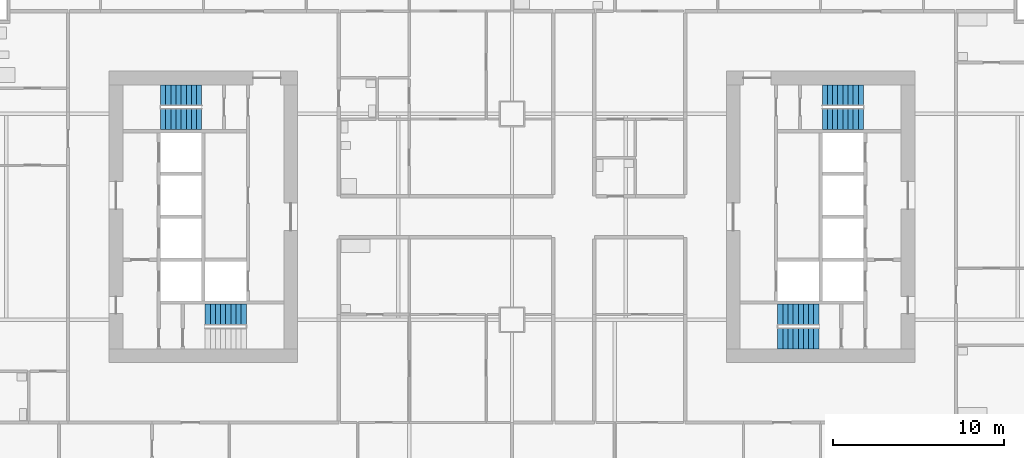
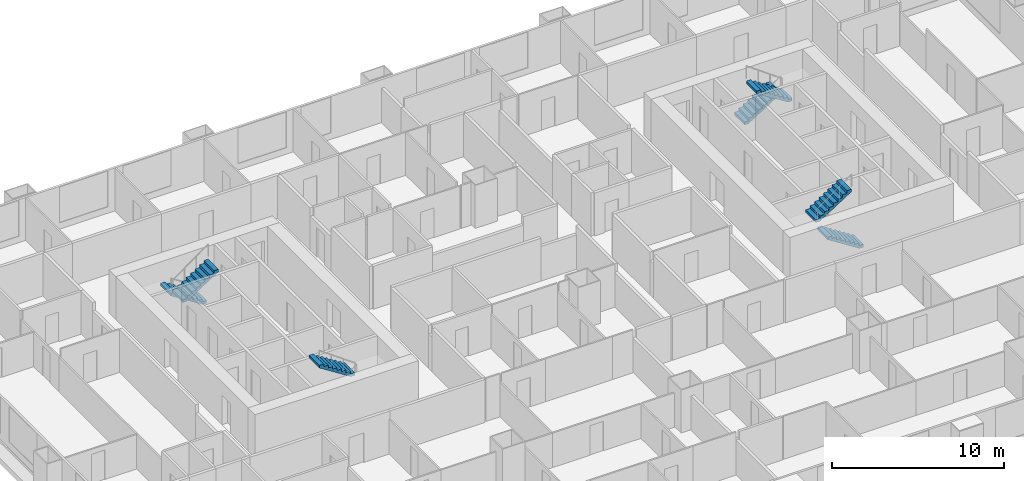
# One storey, part 11 of 13: 7 stair flights, 4 elements without a shape of their own.
"""IFC4 building model written with IfcOpenShell, lengths in metres."""

from ifc_helpers import new_model, si_unit, direction, frame, origin, place, context, subcontext, project, spatial, polyline, outline, extrude, material, type_object, element, aggregate, save


model = new_model("IFC4")

# Units and contexts
model_context = context("Model", 3, precision=1e-05, world=origin(), true_north=direction((0.0, 1.0)))
body_context = subcontext(model_context, "Body", "Model", "MODEL_VIEW")
ifc_project = project(units=[si_unit("LENGTHUNIT", "METRE"), si_unit("AREAUNIT", "SQUARE_METRE"), si_unit("VOLUMEUNIT", "CUBIC_METRE"), si_unit("PLANEANGLEUNIT", "RADIAN"), si_unit("MASSUNIT", "GRAM", prefix="KILO")], contexts=[model_context])

# Site, building, storey
site_placement = place(None, origin())
site = spatial("IfcSite", under=ifc_project, at=site_placement, CompositionType="ELEMENT")
building_placement = place(site_placement, origin())
building = spatial("IfcBuilding", under=site, at=building_placement, Name="Kitamizu Gate Tower and Museum", CompositionType="ELEMENT")
storey_placement = place(building_placement, frame((0.0, 0.0, 88.64990234375)))
storey = spatial("IfcBuildingStorey", under=building, at=storey_placement, Name="L22", CompositionType="ELEMENT", Elevation=88.64990234375)

# Stair, stair flight
ifc_material_1 = material(Name="Concrete Fc42", Category="concrete")
stair_type = type_object("IfcStairType", Name="Exit stair 1200 wide 192 rise 300 going", PredefinedType="HALF_TURN_STAIR", material=ifc_material_1)
stair_1_placement = place(storey_placement, origin())
stair_1 = element("IfcStair", 1, at=stair_1_placement, inside=storey, type_object=stair_type, Name="Exit stair ST1", PredefinedType="HALF_TURN_STAIR")
ifc_material_2 = material(Name="Concrete Fc42", Category="concrete")
stair_flight_type = type_object("IfcStairFlightType", Name="Stair flight 1200 wide 192 rise 300 going", PredefinedType="STRAIGHT", material=ifc_material_2)
stair_flight_1_placement = place(storey_placement, frame((20.5, 24.300048828125, 1.72509765625), z_axis=(0.0, 0.0, 1.0), x_axis=(-1.0, 0.0, 0.0)))
stair_flight_1 = element("IfcStairFlight", 2, at=stair_flight_1_placement, type_object=stair_flight_type, Name="ST1 flight 2", NumberOfRisers=9, NumberOfTreads=8, PredefinedType="STRAIGHT", RiserHeight=0.191666667, TreadLength=0.3, context=body_context, shape_type="SweptSolid", body=[
    extrude(outline(polyline([(0.0, 0.0), (0.0, 0.191650390625), (0.300048828125, 0.191650390625), (0.300048828125, 0.38330078125), (0.60009765625, 0.38330078125), (0.60009765625, 0.574951171875), (0.89990234375, 0.574951171875), (0.89990234375, 0.7666015625), (1.199951171875, 0.7666015625), (1.199951171875, 0.958251953125), (1.5, 0.958251953125), (1.5, 1.14990234375), (1.800048828125, 1.14990234375), (1.800048828125, 1.341552734375), (2.10009765625, 1.341552734375), (2.10009765625, 1.533447265625), (2.39990234375, 1.533447265625), (2.39990234375, 1.72509765625), (2.39990234375, 1.35546875), (0.2783203125, 0.0), (0.0, 0.0)])), frame((0.0, 0.60009765625, 0.0), z_axis=(0.0, -1.0, 0.0), x_axis=(1.0, 0.0, 0.0)), (0.0, 0.0, 1.0), 1.199951171875),
])
aggregate(stair_1, [stair_flight_1])

# Stair, stair flights
stair_2_placement = place(storey_placement, origin())
stair_2 = element("IfcStair", 3, at=stair_2_placement, inside=storey, type_object=stair_type, Name="Exit stair ST2", PredefinedType="HALF_TURN_STAIR")
stair_flight_2_placement = place(storey_placement, frame((17.89990234375, 37.10009765625, 0.0), z_axis=(0.0, 0.0, 1.0), x_axis=(-1.0, 0.0, 0.0)))
stair_flight_2 = element("IfcStairFlight", 4, at=stair_flight_2_placement, type_object=stair_flight_type, Name="ST2 flight 1", NumberOfRisers=9, NumberOfTreads=8, PredefinedType="STRAIGHT", RiserHeight=0.191666667, TreadLength=0.3, context=body_context, shape_type="SweptSolid", body=[
    extrude(outline(polyline([(0.0, 0.0), (0.0, 0.191650390625), (0.300048828125, 0.191650390625), (0.300048828125, 0.38330078125), (0.60009765625, 0.38330078125), (0.60009765625, 0.574951171875), (0.89990234375, 0.574951171875), (0.89990234375, 0.7666015625), (1.199951171875, 0.7666015625), (1.199951171875, 0.958251953125), (1.5, 0.958251953125), (1.5, 1.14990234375), (1.800048828125, 1.14990234375), (1.800048828125, 1.341552734375), (2.10009765625, 1.341552734375), (2.10009765625, 1.533447265625), (2.39990234375, 1.533447265625), (2.39990234375, 1.72509765625), (2.39990234375, 1.35546875), (0.2783203125, 0.0), (0.0, 0.0)])), frame((0.0, 0.60009765625, 0.0), z_axis=(0.0, -1.0, 0.0), x_axis=(1.0, 0.0, 0.0)), (0.0, 0.0, 1.0), 1.199951171875),
])
stair_flight_3_placement = place(storey_placement, frame((15.5, 35.699951171875, 1.72509765625), z_axis=(0.0, 0.0, 1.0), x_axis=(1.0, 0.0, 0.0)))
stair_flight_3 = element("IfcStairFlight", 5, at=stair_flight_3_placement, type_object=stair_flight_type, Name="ST2 flight 2", NumberOfRisers=9, NumberOfTreads=8, PredefinedType="STRAIGHT", RiserHeight=0.191666667, TreadLength=0.3, context=body_context, shape_type="SweptSolid", body=[
    extrude(outline(polyline([(0.0, 0.0), (0.0, 0.191650390625), (0.300048828125, 0.191650390625), (0.300048828125, 0.38330078125), (0.60009765625, 0.38330078125), (0.60009765625, 0.574951171875), (0.89990234375, 0.574951171875), (0.89990234375, 0.7666015625), (1.199951171875, 0.7666015625), (1.199951171875, 0.958251953125), (1.5, 0.958251953125), (1.5, 1.14990234375), (1.800048828125, 1.14990234375), (1.800048828125, 1.341552734375), (2.10009765625, 1.341552734375), (2.10009765625, 1.533447265625), (2.39990234375, 1.533447265625), (2.39990234375, 1.72509765625), (2.39990234375, 1.35546875), (0.2783203125, 0.0), (0.0, 0.0)])), frame((0.0, 0.60009765625, 0.0), z_axis=(0.0, -1.0, 0.0), x_axis=(1.0, 0.0, 0.0)), (0.0, 0.0, 1.0), 1.199951171875),
])
aggregate(stair_2, [stair_flight_2, stair_flight_3])

stair_3_placement = place(storey_placement, origin())
stair_3 = element("IfcStair", 6, at=stair_3_placement, inside=storey, type_object=stair_type, Name="Exit stair ST3", PredefinedType="HALF_TURN_STAIR")
stair_flight_4_placement = place(storey_placement, frame((53.89990234375, 22.89990234375, 0.0), z_axis=(0.0, 0.0, 1.0), x_axis=(-1.0, 0.0, 0.0)))
stair_flight_4 = element("IfcStairFlight", 7, at=stair_flight_4_placement, type_object=stair_flight_type, Name="ST3 flight 1", NumberOfRisers=9, NumberOfTreads=8, PredefinedType="STRAIGHT", RiserHeight=0.191666667, TreadLength=0.3, context=body_context, shape_type="SweptSolid", body=[
    extrude(outline(polyline([(0.0, 0.0), (0.0, 0.191650390625), (0.300048828125, 0.191650390625), (0.300048828125, 0.38330078125), (0.60009765625, 0.38330078125), (0.60009765625, 0.574951171875), (0.89990234375, 0.574951171875), (0.89990234375, 0.7666015625), (1.199951171875, 0.7666015625), (1.199951171875, 0.958251953125), (1.5, 0.958251953125), (1.5, 1.14990234375), (1.800048828125, 1.14990234375), (1.800048828125, 1.341552734375), (2.10009765625, 1.341552734375), (2.10009765625, 1.533447265625), (2.39990234375, 1.533447265625), (2.39990234375, 1.72509765625), (2.39990234375, 1.35546875), (0.2783203125, 0.0), (0.0, 0.0)])), frame((0.0, 0.60009765625, 0.0), z_axis=(0.0, -1.0, 0.0), x_axis=(1.0, 0.0, 0.0)), (0.0, 0.0, 1.0), 1.199951171875),
])
stair_flight_5_placement = place(storey_placement, frame((51.5, 24.300048828125, 1.72509765625), z_axis=(0.0, 0.0, 1.0), x_axis=(1.0, 0.0, 0.0)))
stair_flight_5 = element("IfcStairFlight", 8, at=stair_flight_5_placement, type_object=stair_flight_type, Name="ST3 flight 2", NumberOfRisers=9, NumberOfTreads=8, PredefinedType="STRAIGHT", RiserHeight=0.191666667, TreadLength=0.3, context=body_context, shape_type="SweptSolid", body=[
    extrude(outline(polyline([(0.0, 0.0), (0.0, 0.191650390625), (0.300048828125, 0.191650390625), (0.300048828125, 0.38330078125), (0.60009765625, 0.38330078125), (0.60009765625, 0.574951171875), (0.89990234375, 0.574951171875), (0.89990234375, 0.7666015625), (1.199951171875, 0.7666015625), (1.199951171875, 0.958251953125), (1.5, 0.958251953125), (1.5, 1.14990234375), (1.800048828125, 1.14990234375), (1.800048828125, 1.341552734375), (2.10009765625, 1.341552734375), (2.10009765625, 1.533447265625), (2.39990234375, 1.533447265625), (2.39990234375, 1.72509765625), (2.39990234375, 1.35546875), (0.2783203125, 0.0), (0.0, 0.0)])), frame((0.0, 0.60009765625, 0.0), z_axis=(0.0, -1.0, 0.0), x_axis=(1.0, 0.0, 0.0)), (0.0, 0.0, 1.0), 1.199951171875),
])
aggregate(stair_3, [stair_flight_4, stair_flight_5])

stair_4_placement = place(storey_placement, origin())
stair_4 = element("IfcStair", 9, at=stair_4_placement, inside=storey, type_object=stair_type, Name="Exit stair ST4", PredefinedType="HALF_TURN_STAIR")
stair_flight_6_placement = place(storey_placement, frame((54.10009765625, 37.10009765625, 0.0), z_axis=(0.0, 0.0, 1.0), x_axis=(1.0, 0.0, 0.0)))
stair_flight_6 = element("IfcStairFlight", 10, at=stair_flight_6_placement, type_object=stair_flight_type, Name="ST4 flight 1", NumberOfRisers=9, NumberOfTreads=8, PredefinedType="STRAIGHT", RiserHeight=0.191666667, TreadLength=0.3, context=body_context, shape_type="SweptSolid", body=[
    extrude(outline(polyline([(0.0, 0.0), (0.0, 0.191650390625), (0.300048828125, 0.191650390625), (0.300048828125, 0.38330078125), (0.60009765625, 0.38330078125), (0.60009765625, 0.574951171875), (0.89990234375, 0.574951171875), (0.89990234375, 0.7666015625), (1.199951171875, 0.7666015625), (1.199951171875, 0.958251953125), (1.5, 0.958251953125), (1.5, 1.14990234375), (1.800048828125, 1.14990234375), (1.800048828125, 1.341552734375), (2.10009765625, 1.341552734375), (2.10009765625, 1.533447265625), (2.39990234375, 1.533447265625), (2.39990234375, 1.72509765625), (2.39990234375, 1.35546875), (0.2783203125, 0.0), (0.0, 0.0)])), frame((0.0, 0.60009765625, 0.0), z_axis=(0.0, -1.0, 0.0), x_axis=(1.0, 0.0, 0.0)), (0.0, 0.0, 1.0), 1.199951171875),
])
stair_flight_7_placement = place(storey_placement, frame((56.5, 35.699951171875, 1.72509765625), z_axis=(0.0, 0.0, 1.0), x_axis=(-1.0, 0.0, 0.0)))
stair_flight_7 = element("IfcStairFlight", 11, at=stair_flight_7_placement, type_object=stair_flight_type, Name="ST4 flight 2", NumberOfRisers=9, NumberOfTreads=8, PredefinedType="STRAIGHT", RiserHeight=0.191666667, TreadLength=0.3, context=body_context, shape_type="SweptSolid", body=[
    extrude(outline(polyline([(0.0, 0.0), (0.0, 0.191650390625), (0.300048828125, 0.191650390625), (0.300048828125, 0.38330078125), (0.60009765625, 0.38330078125), (0.60009765625, 0.574951171875), (0.89990234375, 0.574951171875), (0.89990234375, 0.7666015625), (1.199951171875, 0.7666015625), (1.199951171875, 0.958251953125), (1.5, 0.958251953125), (1.5, 1.14990234375), (1.800048828125, 1.14990234375), (1.800048828125, 1.341552734375), (2.10009765625, 1.341552734375), (2.10009765625, 1.533447265625), (2.39990234375, 1.533447265625), (2.39990234375, 1.72509765625), (2.39990234375, 1.35546875), (0.2783203125, 0.0), (0.0, 0.0)])), frame((0.0, 0.60009765625, 0.0), z_axis=(0.0, -1.0, 0.0), x_axis=(1.0, 0.0, 0.0)), (0.0, 0.0, 1.0), 1.199951171875),
])
aggregate(stair_4, [stair_flight_6, stair_flight_7])

save(model, "model.ifc")
